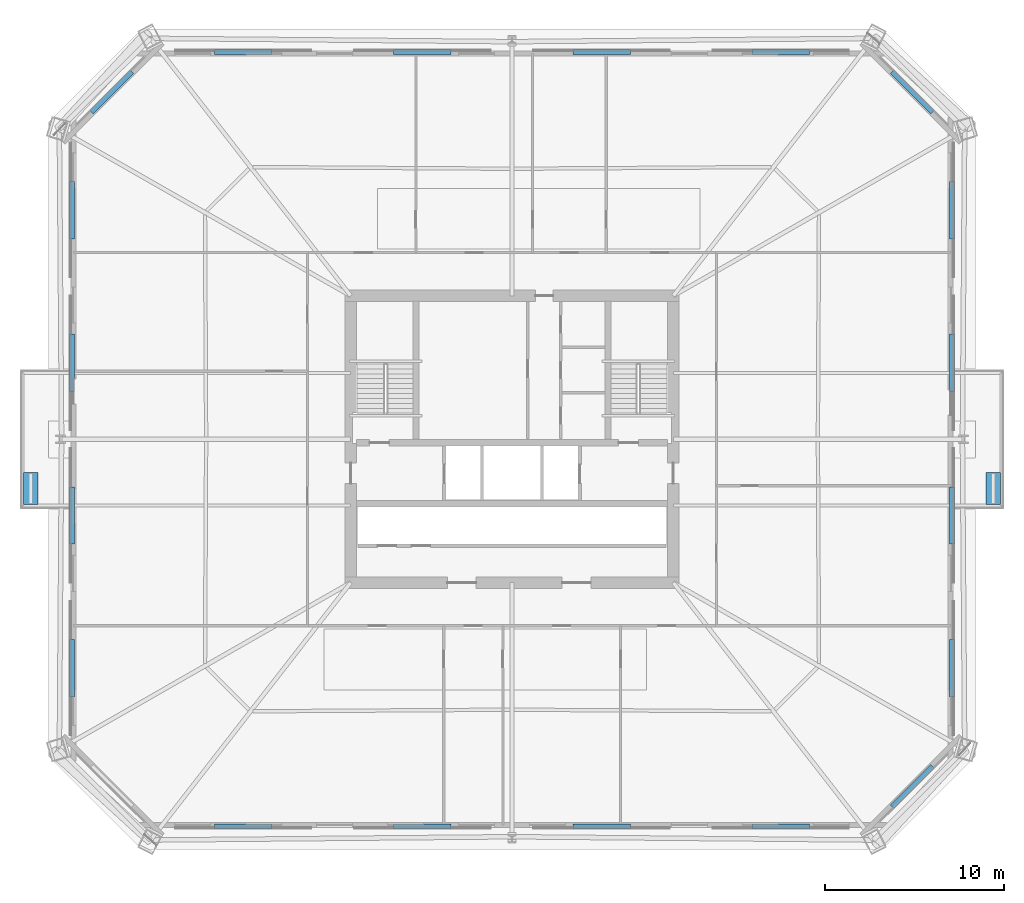
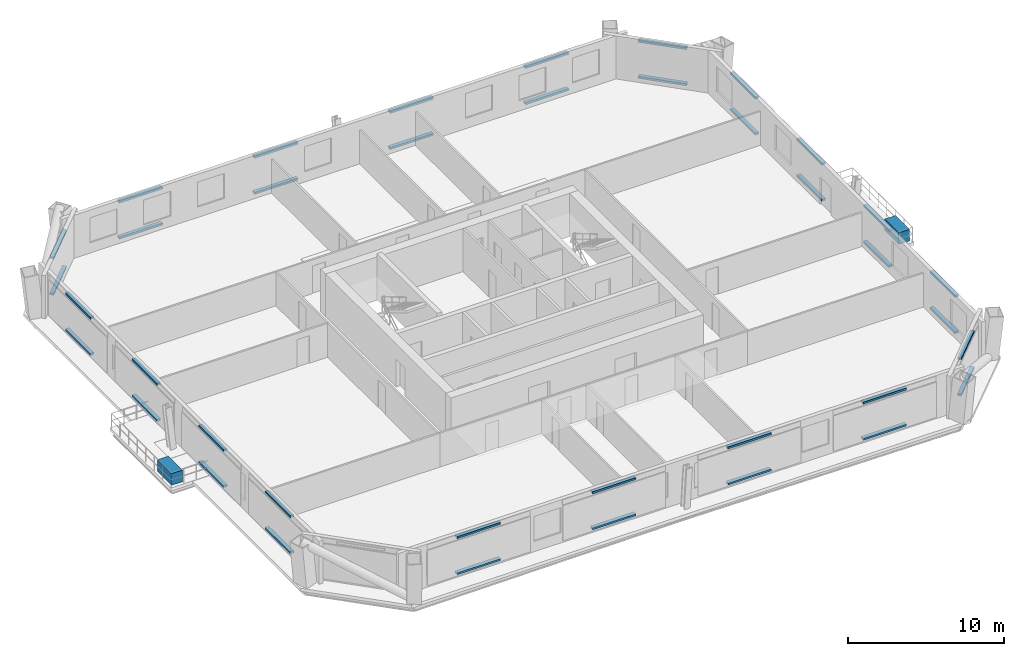
# One storey, part 8 of 11: 40 discrete accessories.
"""IFC4 building model written with IfcOpenShell, lengths in metres."""

from ifc_helpers import new_model, si_unit, direction, frame, origin, origin_2d, place, context, subcontext, project, spatial, rectangle, extrude, material, type_object, element, save


model = new_model("IFC4")

# Units and contexts
model_context = context("Model", 3, precision=1e-05, world=origin(), true_north=direction((0.0, 1.0)))
body_context = subcontext(model_context, "Body", "Model", "MODEL_VIEW")
ifc_project = project(units=[si_unit("LENGTHUNIT", "METRE"), si_unit("AREAUNIT", "SQUARE_METRE"), si_unit("VOLUMEUNIT", "CUBIC_METRE"), si_unit("PLANEANGLEUNIT", "RADIAN"), si_unit("MASSUNIT", "GRAM", prefix="KILO")], contexts=[model_context])

# Site, building, storey
site_placement = place(None, origin())
site = spatial("IfcSite", under=ifc_project, at=site_placement, CompositionType="ELEMENT")
building_placement = place(site_placement, origin())
building = spatial("IfcBuilding", under=site, at=building_placement, Name="Caelvoria Tower", CompositionType="ELEMENT")
storey_placement = place(building_placement, frame((0.0, 0.0, 67.60009765625)))
storey = spatial("IfcBuildingStorey", under=building, at=storey_placement, Name="L17", CompositionType="ELEMENT", Elevation=67.60009765625)

# Discrete accessories
ifc_material_1 = material(Name="Anodised Bronze Stainless Bracket", Category="bronze")
discrete_accessory_type_1 = type_object("IfcDiscreteAccessoryType", Name="Solar Screen Outrigger Support Bracket", PredefinedType="BRACKET", material=ifc_material_1)
for number, where, z_axis, x_axis, name in (
    (1, (31.007568359375, 10.403076171875, 0.23974609375), (0.0, 0.0, 1.0), (1.0, 0.0, 0.0), "Solar Screen Bracket L17-E0-00"),
    (2, (31.007568359375, 10.403076171875, 3.06005859375), (0.0, 0.0, 1.0), (1.0, 0.0, 0.0), "Upper Screen Band Bracket L17-E0-00"),
    (3, (41.00244140625, 10.403076171875, 0.23974609375), (0.0, 0.0, 1.0), (1.0, 0.0, 0.0), "Solar Screen Bracket L17-E0-01"),
    (4, (41.00244140625, 10.403076171875, 3.06005859375), (0.0, 0.0, 1.0), (1.0, 0.0, 0.0), "Upper Screen Band Bracket L17-E0-01"),
    (5, (50.99755859375, 10.403076171875, 0.23974609375), (0.0, 0.0, 1.0), (1.0, 0.0, 0.0), "Solar Screen Bracket L17-E0-02"),
    (6, (50.99755859375, 10.403076171875, 3.06005859375), (0.0, 0.0, 1.0), (1.0, 0.0, 0.0), "Upper Screen Band Bracket L17-E0-02"),
    (7, (60.992431640625, 10.403076171875, 0.23974609375), (0.0, 0.0, 1.0), (1.0, 0.0, 0.0), "Solar Screen Bracket L17-E0-03"),
    (8, (60.992431640625, 10.403076171875, 3.06005859375), (0.0, 0.0, 1.0), (1.0, 0.0, 0.0), "Upper Screen Band Bracket L17-E0-03"),
    (9, (68.32861328125, 12.621337890625, 0.23974609375), (0.0, 0.0, 1.0), (0.707106781187, 0.707106781187, 0.0), "Solar Screen Bracket L17-E1-00"),
    (10, (68.32861328125, 12.621337890625, 3.06005859375), (0.0, 0.0, 1.0), (0.707106781187, 0.707106781187, 0.0), "Upper Screen Band Bracket L17-E1-00"),
    (11, (70.547119140625, 19.219970703125, 0.23974609375), (0.0, 0.0, 1.0), (0.0, 1.0, 0.0), "Solar Screen Bracket L17-E2-00"),
    (12, (70.547119140625, 19.219970703125, 3.06005859375), (0.0, 0.0, 1.0), (0.0, 1.0, 0.0), "Upper Screen Band Bracket L17-E2-00"),
    (13, (70.547119140625, 27.739990234375, 0.23974609375), (0.0, 0.0, 1.0), (0.0, 1.0, 0.0), "Solar Screen Bracket L17-E2-01"),
    (14, (70.547119140625, 27.739990234375, 3.06005859375), (0.0, 0.0, 1.0), (0.0, 1.0, 0.0), "Upper Screen Band Bracket L17-E2-01"),
    (15, (70.547119140625, 36.260009765625, 0.23974609375), (0.0, 0.0, 1.0), (0.0, 1.0, 0.0), "Solar Screen Bracket L17-E2-02"),
    (16, (70.547119140625, 36.260009765625, 3.06005859375), (0.0, 0.0, 1.0), (0.0, 1.0, 0.0), "Upper Screen Band Bracket L17-E2-02"),
    (17, (70.547119140625, 44.780029296875, 0.23974609375), (0.0, 0.0, 1.0), (0.0, 1.0, 0.0), "Solar Screen Bracket L17-E2-03"),
    (18, (70.547119140625, 44.780029296875, 3.06005859375), (0.0, 0.0, 1.0), (0.0, 1.0, 0.0), "Upper Screen Band Bracket L17-E2-03"),
    (19, (68.32861328125, 51.378662109375, 0.23974609375), (0.0, 0.0, 1.0), (-0.707106781187, 0.707106781187, 0.0), "Solar Screen Bracket L17-E3-00"),
    (20, (68.32861328125, 51.378662109375, 3.06005859375), (0.0, 0.0, 1.0), (-0.707106781187, 0.707106781187, 0.0), "Upper Screen Band Bracket L17-E3-00"),
    (21, (60.992431640625, 53.596923828125, 0.23974609375), (0.0, 0.0, 1.0), (-1.0, 0.0, 0.0), "Solar Screen Bracket L17-E4-00"),
    (22, (60.992431640625, 53.596923828125, 3.06005859375), (0.0, 0.0, 1.0), (-1.0, 0.0, 0.0), "Upper Screen Band Bracket L17-E4-00"),
    (23, (50.99755859375, 53.596923828125, 0.23974609375), (0.0, 0.0, 1.0), (-1.0, 0.0, 0.0), "Solar Screen Bracket L17-E4-01"),
    (24, (50.99755859375, 53.596923828125, 3.06005859375), (0.0, 0.0, 1.0), (-1.0, 0.0, 0.0), "Upper Screen Band Bracket L17-E4-01"),
    (25, (41.00244140625, 53.596923828125, 0.23974609375), (0.0, 0.0, 1.0), (-1.0, 0.0, 0.0), "Solar Screen Bracket L17-E4-02"),
    (26, (41.00244140625, 53.596923828125, 3.06005859375), (0.0, 0.0, 1.0), (-1.0, 0.0, 0.0), "Upper Screen Band Bracket L17-E4-02"),
    (27, (31.007568359375, 53.596923828125, 0.23974609375), (0.0, 0.0, 1.0), (-1.0, 0.0, 0.0), "Solar Screen Bracket L17-E4-03"),
    (28, (31.007568359375, 53.596923828125, 3.06005859375), (0.0, 0.0, 1.0), (-1.0, 0.0, 0.0), "Upper Screen Band Bracket L17-E4-03"),
    (29, (23.67138671875, 51.378662109375, 0.23974609375), (0.0, 0.0, 1.0), (-0.707106781187, -0.707106781187, 0.0), "Solar Screen Bracket L17-E5-00"),
    (30, (23.67138671875, 51.378662109375, 3.06005859375), (0.0, 0.0, 1.0), (-0.707106781187, -0.707106781187, 0.0), "Upper Screen Band Bracket L17-E5-00"),
    (31, (21.452880859375, 44.780029296875, 0.23974609375), (0.0, 0.0, 1.0), (0.0, -1.0, 0.0), "Solar Screen Bracket L17-E6-00"),
    (32, (21.452880859375, 44.780029296875, 3.06005859375), (0.0, 0.0, 1.0), (0.0, -1.0, 0.0), "Upper Screen Band Bracket L17-E6-00"),
    (33, (21.452880859375, 36.260009765625, 0.23974609375), (0.0, 0.0, 1.0), (0.0, -1.0, 0.0), "Solar Screen Bracket L17-E6-01"),
    (34, (21.452880859375, 36.260009765625, 3.06005859375), (0.0, 0.0, 1.0), (0.0, -1.0, 0.0), "Upper Screen Band Bracket L17-E6-01"),
    (35, (21.452880859375, 27.739990234375, 0.23974609375), (0.0, 0.0, 1.0), (0.0, -1.0, 0.0), "Solar Screen Bracket L17-E6-02"),
    (36, (21.452880859375, 27.739990234375, 3.06005859375), (0.0, 0.0, 1.0), (0.0, -1.0, 0.0), "Upper Screen Band Bracket L17-E6-02"),
    (37, (21.452880859375, 19.219970703125, 0.23974609375), (0.0, 0.0, 1.0), (0.0, -1.0, 0.0), "Solar Screen Bracket L17-E6-03"),
    (38, (21.452880859375, 19.219970703125, 3.06005859375), (0.0, 0.0, 1.0), (0.0, -1.0, 0.0), "Upper Screen Band Bracket L17-E6-03"),
):
    element("IfcDiscreteAccessory", number, at=place(storey_placement, frame(where, z_axis=z_axis, x_axis=x_axis)), inside=storey, type_object=discrete_accessory_type_1, Name=name, PredefinedType="BRACKET", context=body_context, shape_type="SweptSolid", body=[
        extrude(rectangle(XDim=3.199951171875, YDim=0.280029296875, at=origin_2d()), origin(), (0.0, 0.0, 1.0), 0.159912109375),
    ])
ifc_material_2 = material(Name="Bronze-Clad Concrete C40/50 Planter Vessel", Category="concrete")
discrete_accessory_type_2 = type_object("IfcDiscreteAccessoryType", Name="Tree Balcony Structural Planter Vessel PLANTER", PredefinedType="USERDEFINED", material=ifc_material_2)
for number, where, z_axis, x_axis, name in (
    (39, (19.14990234375, 29.25, 0.0), (0.0, 0.0, 1.0), (0.0, 1.0, 0.0), "Tree Balcony Planter TB-L17-W"),
    (40, (72.85009765625, 29.25, 0.0), (0.0, 0.0, 1.0), (0.0, 1.0, 0.0), "Tree Balcony Planter TB-L17-E"),
):
    element("IfcDiscreteAccessory", number, at=place(storey_placement, frame(where, z_axis=z_axis, x_axis=x_axis)), inside=storey, type_object=discrete_accessory_type_2, Name=name, ObjectType="PLANTER", PredefinedType="USERDEFINED", context=body_context, shape_type="SweptSolid", body=[
        extrude(rectangle(XDim=1.800048828125, YDim=0.800048828125, at=origin_2d()), origin(), (0.0, 0.0, 1.0), 0.89990234375),
    ])

save(model, "model.ifc")
